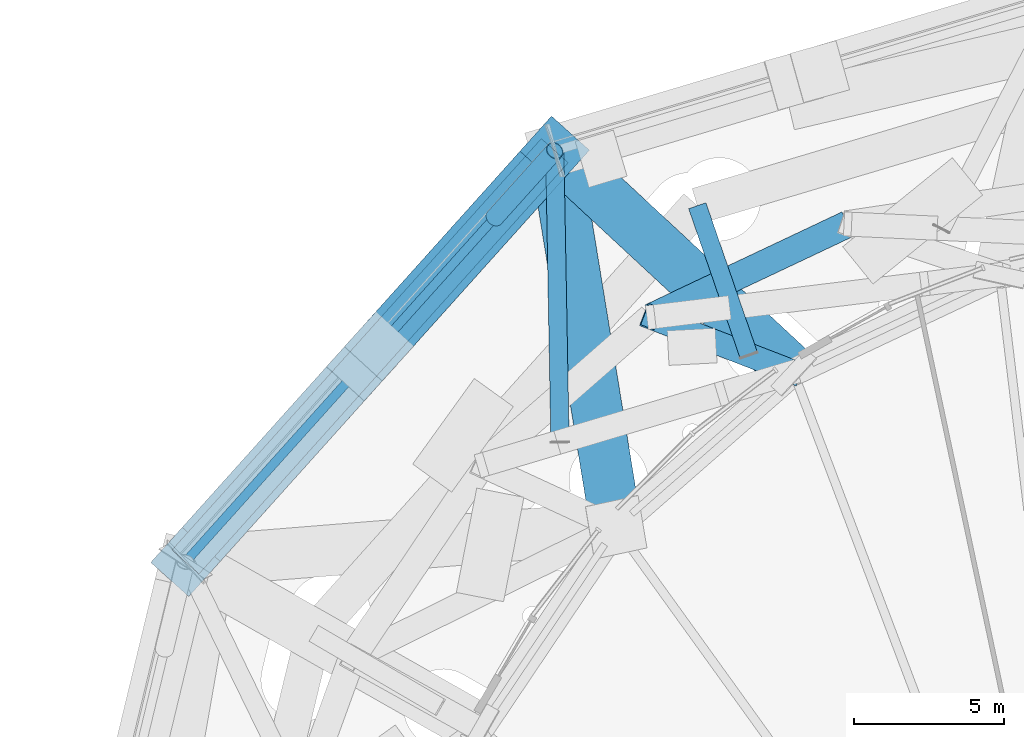
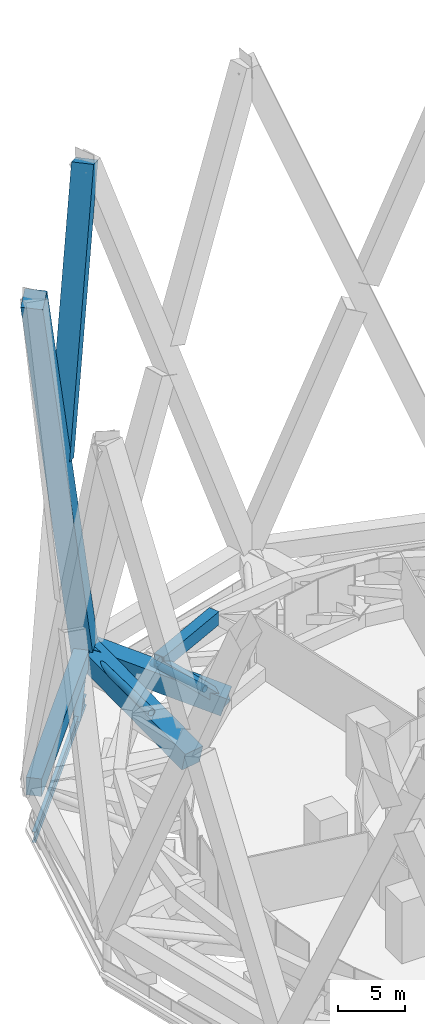
# One storey, part 31 of 51: 8 members, 3 beams.
"""IFC4 building model written with IfcOpenShell, lengths in metres."""

from ifc_helpers import new_model, si_unit, direction, frame, origin, origin_2d, place, context, subcontext, project, spatial, rectangle, hollow_rectangle, hollow_circle, i_section, extrude, material, material_profile, profile_set, type_object, element, save


model = new_model("IFC4")

# Units and contexts
model_context = context("Model", 3, precision=1e-05, world=origin(), true_north=direction((0.0, 1.0)))
body_context = subcontext(model_context, "Body", "Model", "MODEL_VIEW")
ifc_project = project(units=[si_unit("LENGTHUNIT", "METRE"), si_unit("AREAUNIT", "SQUARE_METRE"), si_unit("VOLUMEUNIT", "CUBIC_METRE"), si_unit("PLANEANGLEUNIT", "RADIAN"), si_unit("MASSUNIT", "GRAM", prefix="KILO")], contexts=[model_context])

# Site, building, storey
site_placement = place(None, origin())
site = spatial("IfcSite", under=ifc_project, at=site_placement, CompositionType="ELEMENT")
building_placement = place(site_placement, origin())
building = spatial("IfcBuilding", under=site, at=building_placement, Name="Nagisa Residences", CompositionType="ELEMENT")
storey_placement = place(building_placement, frame((0.0, 0.0, 67.699951171875)))
storey = spatial("IfcBuildingStorey", under=building, at=storey_placement, Name="L16", CompositionType="ELEMENT", Elevation=67.699951171875)

# Beams
ifc_material_1 = material(Name="Steel ASTM A572 Gr 50", Category="steel")
ifc_material_profile_1 = material_profile(ifc_material_1, hollow_rectangle(XDim=0.89990234375, YDim=1.199951171875, WallThickness=0.050048828125, at=origin_2d()), Name="BX 900x1200x50")
ifc_profile_set_1 = profile_set([ifc_material_profile_1], Name="Steel ASTM A572 Gr 50")
beam_type_1 = type_object("IfcBeamType", Name="Belt chord 1 BX 900x1200x50", PredefinedType="BEAM", material=ifc_profile_set_1)
beam_1_placement = place(storey_placement, frame((-8.838623046875, 33.075927734375, 4.739990234375), z_axis=(-0.904186908597, -0.427137020547, 0.0), x_axis=(0.427137020547, -0.904186908597, 0.0)))
element("IfcBeam", 1, at=beam_1_placement, inside=storey, type_object=beam_type_1, Name="beam:L16:bt1t08", PredefinedType="BEAM", context=body_context, shape_type="SweptSolid", body=[
    extrude(hollow_rectangle(XDim=0.89990234375, YDim=1.199951171875, WallThickness=0.050048828125, at=origin_2d()), origin(), (0.0, 0.0, 1.0), 7.25390625),
])
ifc_material_2 = material(Name="Steel ASTM A572 Gr 50", Category="steel")
ifc_material_profile_2 = material_profile(ifc_material_2, hollow_rectangle(XDim=0.800048828125, YDim=0.800048828125, WallThickness=0.044921875, at=origin_2d()), Name="BX 800x800x45")
ifc_profile_set_2 = profile_set([ifc_material_profile_2], Name="Steel ASTM A572 Gr 50")
beam_type_2 = type_object("IfcBeamType", Name="Belt diagonal 1 BX 800x800x45", PredefinedType="BEAM", material=ifc_profile_set_2)
beam_2_placement = place(storey_placement, frame((-10.64990234375, 28.145751953125, 0.60009765625), z_axis=(-0.723714317167, 0.279236270786, 0.631082159632), x_axis=(-0.359972299029, -0.932962991727, 0.0)))
element("IfcBeam", 2, at=beam_2_placement, inside=storey, type_object=beam_type_2, Name="beam:L16:bt1da09", PredefinedType="BEAM", context=body_context, shape_type="SweptSolid", body=[
    extrude(hollow_rectangle(XDim=0.800048828125, YDim=0.800048828125, WallThickness=0.044921875, at=origin_2d()), origin(), (0.0, 0.0, 1.0), 6.56005859375),
])

# Members
ifc_material_3 = material(Name="Concrete C80", Category="concrete")
ifc_material_profile_3 = material_profile(ifc_material_3, rectangle(XDim=1.699951171875, YDim=1.699951171875, at=origin_2d()), Name="C80 1700x1700")
ifc_profile_set_3 = profile_set([ifc_material_profile_3], Name="Concrete C80")
member_type_1 = type_object("IfcMemberType", Name="Cage bracket 2 C80 1700x1700", PredefinedType="BRACE", material=ifc_profile_set_3)
member_1_placement = place(storey_placement, frame((-18.597412109375, 35.52001953125, 3.699951171875), z_axis=(0.704806288322, -0.653969647614, -0.274903248328), x_axis=(0.680175521826, 0.733049288595, 0.0)))
element("IfcMember", 3, at=member_1_placement, inside=storey, type_object=member_type_1, Name="mem:L16:cg1ob03", PredefinedType="BRACE", context=body_context, shape_type="SweptSolid", body=[
    extrude(rectangle(XDim=1.699951171875, YDim=1.699951171875, at=origin_2d()), origin(), (0.0, 0.0, 1.0), 11.276123046875),
])
member_2_placement = place(storey_placement, frame((-18.597412109375, 35.52001953125, 3.699951171875), z_axis=(0.156370449485, -0.958833128647, -0.237038633848), x_axis=(0.986961304319, 0.160957708041, 0.0)))
element("IfcMember", 4, at=member_2_placement, inside=storey, type_object=member_type_1, Name="mem:L16:cg1ob04", PredefinedType="BRACE", context=body_context, shape_type="SweptSolid", body=[
    extrude(rectangle(XDim=1.699951171875, YDim=1.699951171875, at=origin_2d()), origin(), (0.0, 0.0, 1.0), 13.077392578125),
])
ifc_material_4 = material(Name="Concrete C80", Category="concrete")
ifc_material_profile_4 = material_profile(ifc_material_4, rectangle(XDim=1.699951171875, YDim=1.699951171875, at=origin_2d()), Name="C80 1700x1700")
ifc_profile_set_4 = profile_set([ifc_material_profile_4], Name="Concrete C80")
member_type_2 = type_object("IfcMemberType", Name="Cage diagonal 2 C80 1700x1700", PredefinedType="BRACE", material=ifc_profile_set_4)
member_3_placement = place(storey_placement, frame((-18.597412109375, 35.52001953125, 3.699951171875), z_axis=(-0.255349646775, -0.2843842811, 0.924079075921), x_axis=(0.744069300954, -0.668102443775, 0.0)))
element("IfcMember", 5, at=member_3_placement, inside=storey, type_object=member_type_2, Name="mem:L16:cg2d009", PredefinedType="BRACE", context=body_context, shape_type="SweptSolid", body=[
    extrude(rectangle(XDim=1.699951171875, YDim=1.699951171875, at=origin_2d()), origin(), (0.0, 0.0, 1.0), 48.156005859375),
])
member_4_placement = place(storey_placement, frame((-24.443603515625, 29.009033203125, 27.04345703125), z_axis=(0.255351092109, 0.284388134781, 0.924077490557), x_axis=(-0.744071921623, 0.668099525111, 0.0)))
element("IfcMember", 6, at=member_4_placement, inside=storey, type_object=member_type_2, Name="mem:L16:cg2d010b", PredefinedType="BRACE", context=body_context, shape_type="SweptSolid", body=[
    extrude(rectangle(XDim=1.699951171875, YDim=1.699951171875, at=origin_2d()), origin(), (0.0, 0.0, 1.0), 22.894775390625),
])
ifc_material_5 = material(Name="Concrete C80", Category="concrete")
ifc_material_profile_5 = material_profile(ifc_material_5, rectangle(XDim=1.199951171875, YDim=1.60009765625, at=origin_2d()), Name="C80 1200x1600")
ifc_profile_set_5 = profile_set([ifc_material_profile_5], Name="Concrete C80")
member_type_3 = type_object("IfcMemberType", Name="Cage ring 2 C80 1200x1600", PredefinedType="CHORD", material=ifc_profile_set_5)
member_5_placement = place(storey_placement, frame((-18.597412109375, 35.52001953125, 3.699951171875), z_axis=(-0.668102443775, -0.744069300954, 0.0), x_axis=(0.744069300954, -0.668102443775, 0.0)))
element("IfcMember", 7, at=member_5_placement, inside=storey, type_object=member_type_3, Name="beam:L16:cg2r005", PredefinedType="CHORD", context=body_context, shape_type="SweptSolid", body=[
    extrude(rectangle(XDim=1.199951171875, YDim=1.60009765625, at=origin_2d()), origin(), (0.0, 0.0, 1.0), 18.4052734375),
])
ifc_material_6 = material(Name="Steel ASTM A572 Gr 65", Category="steel")
ifc_material_profile_6 = material_profile(ifc_material_6, hollow_circle(Radius=0.304931640625, WallThickness=0.02490234375, at=origin_2d()), Name="CHS 610x25")
ifc_profile_set_6 = profile_set([ifc_material_profile_6], Name="Steel ASTM A572 Gr 65")
member_type_4 = type_object("IfcMemberType", Name="Cage strut CHS 610x25", PredefinedType="STRUT", material=ifc_profile_set_6)
member_6_placement = place(storey_placement, frame((-13.85009765625, 33.6884765625, 1.900146484375), z_axis=(0.325358999527, -0.945590567543, 0.0), x_axis=(0.945590567543, 0.325358999527, 0.0)))
element("IfcMember", 8, at=member_6_placement, inside=storey, type_object=member_type_4, Name="mem:L16:bt1st1a05", PredefinedType="STRUT", context=body_context, shape_type="SweptSolid", body=[
    extrude(hollow_circle(Radius=0.304931640625, WallThickness=0.02490234375, at=origin_2d()), origin(), (0.0, 0.0, 1.0), 5.25341796875),
])
member_7_placement = place(storey_placement, frame((-18.597412109375, 35.52001953125, 3.699951171875), z_axis=(0.018055690022, -0.999836982742, 0.0), x_axis=(0.999836982742, 0.018055690022, 0.0)))
element("IfcMember", 9, at=member_7_placement, inside=storey, type_object=member_type_4, Name="mem:L16:bt1st2b05", PredefinedType="STRUT", context=body_context, shape_type="SweptSolid", body=[
    extrude(hollow_circle(Radius=0.304931640625, WallThickness=0.02490234375, at=origin_2d()), origin(), (0.0, 0.0, 1.0), 9.69482421875),
])

# Beam
ifc_material_7 = material(Name="Steel ASTM A572 Gr 50", Category="steel")
ifc_material_profile_7 = material_profile(ifc_material_7, i_section(OverallWidth=0.300048828125, OverallDepth=0.97998046875, WebThickness=0.0166015625, FlangeThickness=0.02587890625, at=origin_2d()), Name="W1000x249")
ifc_profile_set_7 = profile_set([ifc_material_profile_7], Name="Steel ASTM A572 Gr 50")
beam_type_3 = type_object("IfcBeamType", Name="Deck edge beam W1000x249", PredefinedType="BEAM", material=ifc_profile_set_7)
beam_3_placement = place(storey_placement, frame((-18.597412109375, 35.52001953125, -0.889892578125), z_axis=(-0.668102443775, -0.744069300954, 0.0), x_axis=(0.744069300954, -0.668102443775, 0.0)))
element("IfcBeam", 10, at=beam_3_placement, inside=storey, type_object=beam_type_3, Name="beam:L16:deckedge05", PredefinedType="BEAM", context=body_context, shape_type="SweptSolid", body=[
    extrude(i_section(OverallWidth=0.300048828125, OverallDepth=0.97998046875, WebThickness=0.0166015625, FlangeThickness=0.02587890625, at=origin_2d()), origin(), (0.0, 0.0, 1.0), 18.4052734375),
])

# Member
ifc_material_8 = material(Name="Steel ASTM A572 Gr 65", Category="steel")
ifc_material_profile_8 = material_profile(ifc_material_8, hollow_circle(Radius=0.304931640625, WallThickness=0.02490234375, at=origin_2d()), Name="CHS 610x25")
ifc_profile_set_8 = profile_set([ifc_material_profile_8], Name="Steel ASTM A572 Gr 65")
member_type_5 = type_object("IfcMemberType", Name="Raked deck hanger CHS 610x25", PredefinedType="BRACE", material=ifc_profile_set_8)
member_8_placement = place(storey_placement, frame((-18.597412109375, 35.52001953125, 3.25), z_axis=(-0.392048091673, -0.43660118175, -0.809739280207), x_axis=(0.744050362754, -0.668123534749, 0.0)))
element("IfcMember", 11, at=member_8_placement, inside=storey, type_object=member_type_5, Name="mem:L16:deckhanger04", PredefinedType="BRACE", context=body_context, shape_type="SweptSolid", body=[
    extrude(hollow_circle(Radius=0.304931640625, WallThickness=0.02490234375, at=origin_2d()), origin(), (0.0, 0.0, 1.0), 5.112548828125),
])

save(model, "model.ifc")
